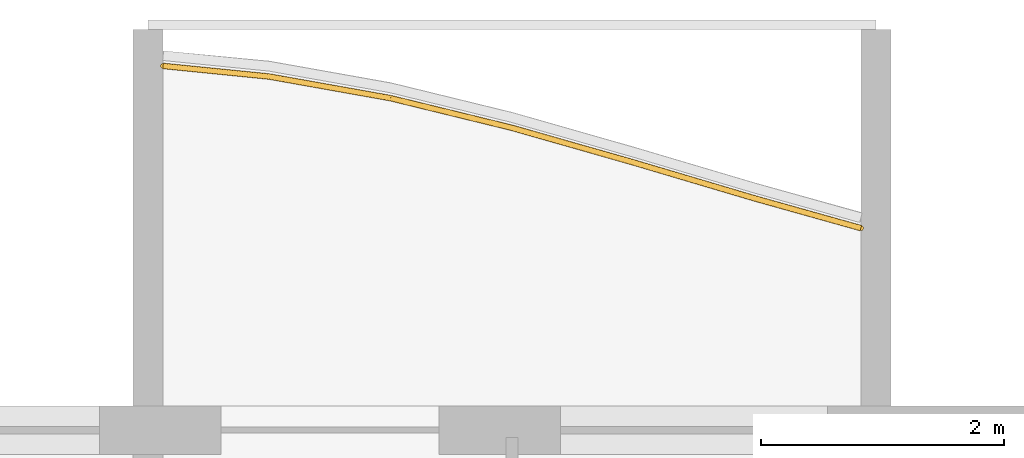
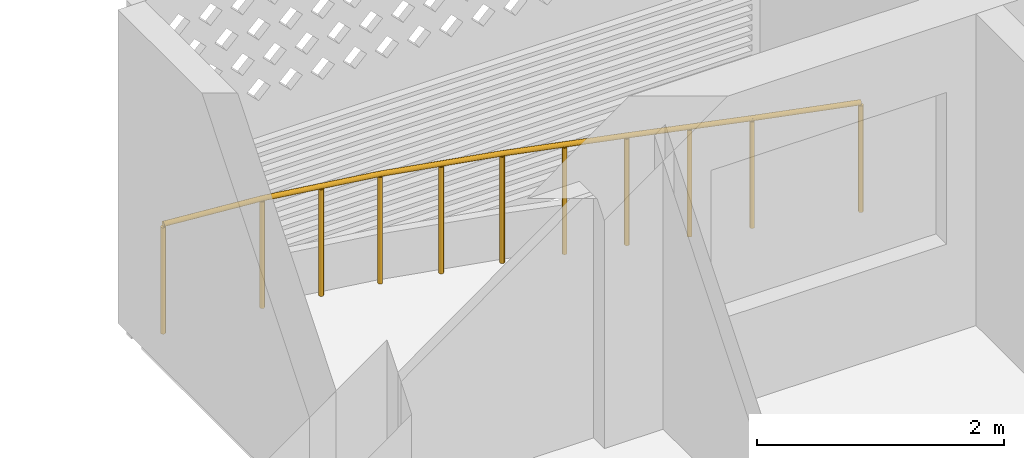
# One storey, part 26 of 27: 1 railing.
"""IFC4 building model written with IfcOpenShell, lengths in metres."""

from ifc_helpers import new_model, si_unit, direction, frame, origin, origin_2d, place, context, subcontext, project, spatial, circle, extrude, material, type_object, element, save


model = new_model("IFC4")

# Units and contexts
model_context = context("Model", 3, precision=1e-05, world=origin(), true_north=direction((0.0, 1.0)))
body_context = subcontext(model_context, "Body", "Model", "MODEL_VIEW")
ifc_project = project(units=[si_unit("LENGTHUNIT", "METRE"), si_unit("AREAUNIT", "SQUARE_METRE"), si_unit("VOLUMEUNIT", "CUBIC_METRE"), si_unit("PLANEANGLEUNIT", "RADIAN"), si_unit("MASSUNIT", "GRAM", prefix="KILO")], contexts=[model_context])

# Site, building, storey
site_placement = place(None, origin())
site = spatial("IfcSite", under=ifc_project, at=site_placement, CompositionType="ELEMENT")
building_placement = place(site_placement, origin())
building = spatial("IfcBuilding", under=site, at=building_placement, Name="Poui Terraces", CompositionType="ELEMENT")
storey_placement = place(building_placement, frame((0.0, 0.0, 201.60009765625)))
storey = spatial("IfcBuildingStorey", under=building, at=storey_placement, Name="L56", CompositionType="ELEMENT", Elevation=201.60009765625)

# Railing
ifc_material = material(Name="Painted steel fretwork", Category="steel")
railing_type = type_object("IfcRailingType", Name="BALCONY GUARD 1100", PredefinedType="GUARDRAIL", material=ifc_material)
railing_placement = place(storey_placement, frame((72.125, 44.201416015625, 0.0)))
element("IfcRailing", 1, at=railing_placement, inside=storey, type_object=railing_type, Name="BALCONY GUARD", PredefinedType="GUARDRAIL", context=body_context, shape_type="SweptSolid", body=[
    extrude(circle(Radius=0.02392578125, at=origin_2d()), frame((0.0, 0.0, 1.076171875), z_axis=(0.995048179628, -0.099393763478, 0.0), x_axis=(0.099393763478, 0.995048179628, 0.0)), (0.0, 0.0, 1.0), 0.87939453125),
    extrude(circle(Radius=0.02392578125, at=origin_2d()), frame((0.875, -0.08740234375, 1.076171875), z_axis=(0.984486939112, -0.175457877332, 0.0), x_axis=(0.175457877332, 0.984486939112, 0.0)), (0.0, 0.0, 1.0), 1.015869140625),
    extrude(circle(Radius=0.02392578125, at=origin_2d()), frame((1.875, -0.265625, 1.076171875), z_axis=(0.971412377048, -0.23739838609, 0.0), x_axis=(0.23739838609, 0.971412377048, 0.0)), (0.0, 0.0, 1.0), 1.029541015625),
    extrude(circle(Radius=0.02392578125, at=origin_2d()), frame((2.875, -0.510009765625, 1.076171875), z_axis=(0.961727468954, -0.274007801823, 0.0), x_axis=(0.274007801823, 0.961727468954, 0.0)), (0.0, 0.0, 1.0), 1.039794921875),
    extrude(circle(Radius=0.02392578125, at=origin_2d()), frame((3.875, -0.794921875, 1.076171875), z_axis=(0.958774495191, -0.284168026651, 0.0), x_axis=(0.284168026651, 0.958774495191, 0.0)), (0.0, 0.0, 1.0), 1.04296875),
    extrude(circle(Radius=0.02392578125, at=origin_2d()), frame((4.875, -1.09130859375, 1.076171875), z_axis=(0.962930527594, -0.269749511636, 0.0), x_axis=(0.269749511636, 0.962930527594, 0.0)), (0.0, 0.0, 1.0), 0.90869140625),
    extrude(circle(Radius=0.02099609375, at=origin_2d()), origin(), (0.0, 0.0, 1.0), 1.052001953125),
    extrude(circle(Radius=0.02099609375, at=origin_2d()), frame((0.875, -0.08740234375, 0.0)), (0.0, 0.0, 1.0), 1.052001953125),
    extrude(circle(Radius=0.02099609375, at=origin_2d()), frame((1.375, -0.176513671875, 0.0)), (0.0, 0.0, 1.0), 1.052001953125),
    extrude(circle(Radius=0.02099609375, at=origin_2d()), frame((1.875, -0.265625, 0.0)), (0.0, 0.0, 1.0), 1.052001953125),
    extrude(circle(Radius=0.02099609375, at=origin_2d()), frame((2.375, -0.3876953125, 0.0)), (0.0, 0.0, 1.0), 1.052001953125),
    extrude(circle(Radius=0.02099609375, at=origin_2d()), frame((2.875, -0.510009765625, 0.0)), (0.0, 0.0, 1.0), 1.052001953125),
    extrude(circle(Radius=0.02099609375, at=origin_2d()), frame((3.375, -0.65234375, 0.0)), (0.0, 0.0, 1.0), 1.052001953125),
    extrude(circle(Radius=0.02099609375, at=origin_2d()), frame((3.875, -0.794921875, 0.0)), (0.0, 0.0, 1.0), 1.052001953125),
    extrude(circle(Radius=0.02099609375, at=origin_2d()), frame((4.375, -0.943115234375, 0.0)), (0.0, 0.0, 1.0), 1.052001953125),
    extrude(circle(Radius=0.02099609375, at=origin_2d()), frame((4.875, -1.09130859375, 0.0)), (0.0, 0.0, 1.0), 1.052001953125),
    extrude(circle(Radius=0.02099609375, at=origin_2d()), frame((5.75, -1.33642578125, 0.0)), (0.0, 0.0, 1.0), 1.052001953125),
])

save(model, "model.ifc")
